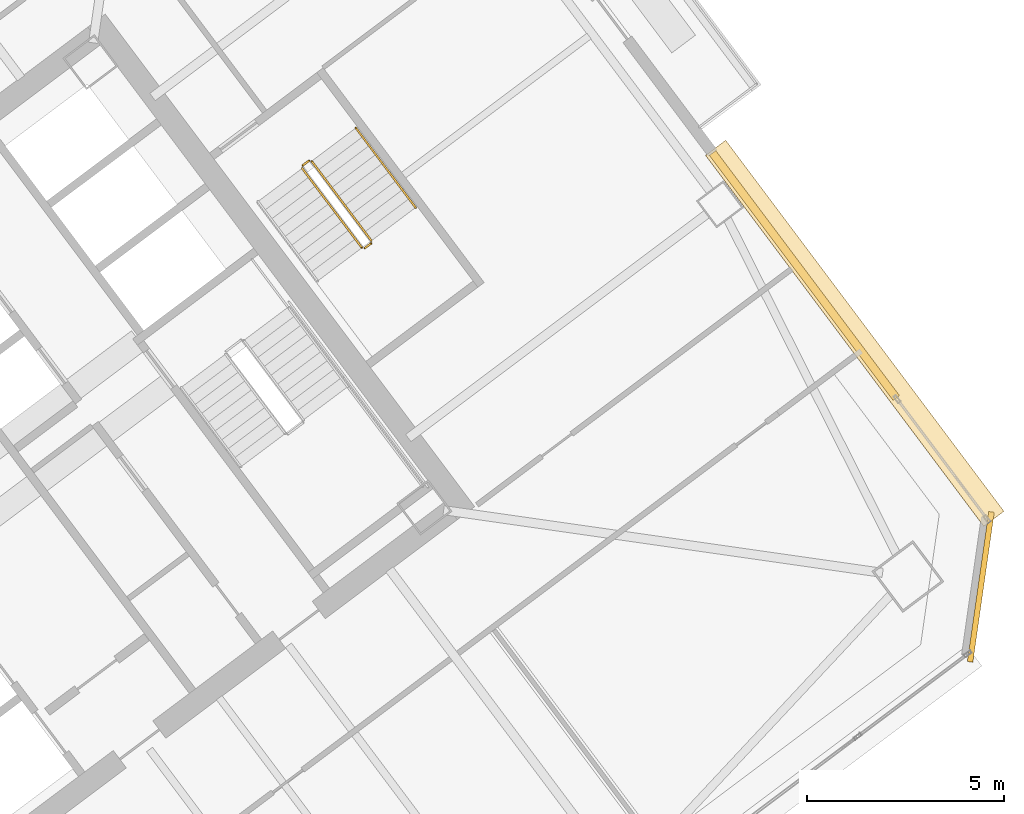
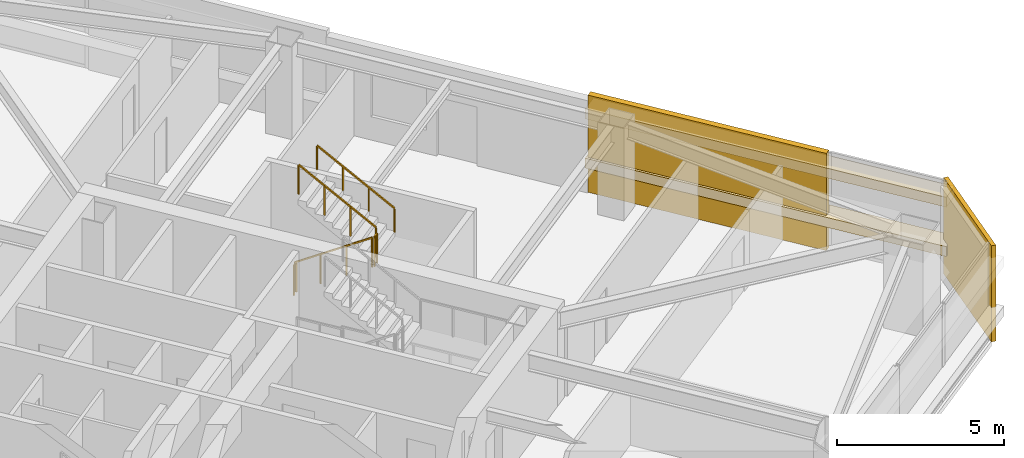
# One storey, part 45 of 46: 5 railings, 4 coverings.
"""IFC4 building model written with IfcOpenShell, lengths in metres."""

from ifc_helpers import new_model, si_unit, direction, frame, origin, origin_2d, place, context, subcontext, project, spatial, rectangle, extrude, material, layer, layer_set, type_object, element, save


model = new_model("IFC4")

# Units and contexts
model_context = context("Model", 3, precision=1e-05, world=origin(), true_north=direction((0.0, 1.0)))
body_context = subcontext(model_context, "Body", "Model", "MODEL_VIEW")
ifc_project = project(units=[si_unit("LENGTHUNIT", "METRE"), si_unit("AREAUNIT", "SQUARE_METRE"), si_unit("VOLUMEUNIT", "CUBIC_METRE"), si_unit("PLANEANGLEUNIT", "RADIAN"), si_unit("MASSUNIT", "GRAM", prefix="KILO")], contexts=[model_context])

# Site, building, storey
site_placement = place(None, origin())
site = spatial("IfcSite", under=ifc_project, at=site_placement, CompositionType="ELEMENT")
building_placement = place(site_placement, origin())
building = spatial("IfcBuilding", under=site, at=building_placement, Name="Tashvorn Skyway Center", CompositionType="ELEMENT")
storey_placement = place(building_placement, frame((0.0, 0.0, 132.14990234375)))
storey = spatial("IfcBuildingStorey", under=building, at=storey_placement, Name="L35", CompositionType="ELEMENT", Elevation=132.14990234375)

# Coverings
ifc_material_1 = material(Name="Precast concrete C40/50", Category="concrete")
ifc_layer_1 = layer(ifc_material_1, 0.199951171875)
ifc_layer_set_1 = layer_set([ifc_layer_1], Name="Precast concrete C40/50")
covering_type_1 = type_object("IfcCoveringType", Name="COV-BRACE-CLAD", PredefinedType="CLADDING", material=ifc_layer_set_1)
covering_1_placement = place(storey_placement, frame((133.5, 36.466552734375, 0.0), z_axis=(0.0, 0.0, 1.0), x_axis=(0.600000004945, -0.799999996291, 0.0)))
element("IfcCovering", 1, at=covering_1_placement, inside=storey, type_object=covering_type_1, Name="Tower 2 L35 East Curtain Wall R Mega-Brace Cladding Band 1", PredefinedType="CLADDING", context=body_context, shape_type="SweptSolid", body=[
    extrude(rectangle(XDim=7.75341796875, YDim=0.199951171875, at=origin_2d()), origin(), (0.0, 0.0, 1.0), 3.550048828125),
])
ifc_material_2 = material(Name="Perforated ceramic-coated bronze aluminium solar screen", Category="aluminium")
ifc_layer_2 = layer(ifc_material_2, 0.85009765625)
ifc_layer_set_2 = layer_set([ifc_layer_2], Name="Perforated ceramic-coated bronze aluminium solar screen")
covering_type_2 = type_object("IfcCoveringType", Name="COV-SOLAR-BAND", PredefinedType="CLADDING", material=ifc_layer_set_2)
for number, where, z_axis, x_axis, name in (
    (2, (134.77490234375, 35.0, 0.919921875), (0.0, 0.0, 1.0), (0.600000004945, -0.799999996291, 0.0), "L35 Perforated Ceramic-Metal Solar Screen Louvre Band East 1"),
    (3, (134.77490234375, 35.0, 2.72021484375), (0.0, 0.0, 1.0), (0.600000004945, -0.799999996291, 0.0), "L35 Perforated Ceramic-Metal Solar Screen Louvre Band East 2"),
):
    element("IfcCovering", number, at=place(storey_placement, frame(where, z_axis=z_axis, x_axis=x_axis)), inside=storey, type_object=covering_type_2, Name=name, PredefinedType="CLADDING", context=body_context, shape_type="SweptSolid", body=[
        extrude(rectangle(XDim=11.75, YDim=0.639892578125, at=origin_2d()), origin(), (0.0, 0.0, 1.0), 0.360107421875),
    ])
ifc_layer_3 = layer(ifc_material_1, 0.35009765625)
ifc_layer_set_3 = layer_set([ifc_layer_3], Name="Precast concrete C40/50")
covering_type_3 = type_object("IfcCoveringType", Name="COV-STONE-TRIM", PredefinedType="CLADDING", material=ifc_layer_set_3)
covering_2_placement = place(storey_placement, frame((137.968017578125, 28.575927734375, 0.02001953125), z_axis=(0.0, 0.0, 1.0), x_axis=(0.141421350118, 0.989949494535, 0.0)))
element("IfcCovering", 4, at=covering_2_placement, inside=storey, type_object=covering_type_3, Name="Tower 2 L35 SE Mojave Limestone Corner Quoin", PredefinedType="CLADDING", context=body_context, shape_type="SweptSolid", body=[
    extrude(rectangle(XDim=3.8369140625, YDim=0.139892578125, at=origin_2d()), origin(), (0.0, 0.0, 1.0), 3.510009765625),
])

# Railings
ifc_material_3 = material(Name="Brushed stainless steel 316", Category="steel")
railing_type_1 = type_object("IfcRailingType", Name="RAIL-HAND-920", PredefinedType="HANDRAIL", material=ifc_material_3)
railing_1_placement = place(storey_placement, frame((123.64794921875, 38.18603515625, 1.95263671875)))
element("IfcRailing", 5, at=railing_1_placement, inside=storey, type_object=railing_type_1, Name="L35 ST-T2-3 stair handrail 2", PredefinedType="HANDRAIL", context=body_context, shape_type="SweptSolid", body=[
    extrude(rectangle(XDim=0.048095703125, YDim=0.048095703125, at=origin_2d()), frame((0.0, 0.0, 0.8759765625), z_axis=(-0.506768818287, 0.675664481285, 0.535409071218), x_axis=(-0.79998837352, -0.60001550166, 0.0)), (0.0, 0.0, 1.0), 2.983642578125),
    extrude(rectangle(XDim=0.0419921875, YDim=0.0419921875, at=origin_2d()), origin(), (0.0, 0.0, 1.0), 0.851806640625),
    extrude(rectangle(XDim=0.0419921875, YDim=0.0419921875, at=origin_2d()), frame((-0.50390625, 0.671875, 0.532470703125)), (0.0, 0.0, 1.0), 0.851806640625),
    extrude(rectangle(XDim=0.0419921875, YDim=0.0419921875, at=origin_2d()), frame((-1.008056640625, 1.343994140625, 1.06494140625)), (0.0, 0.0, 1.0), 0.851806640625),
    extrude(rectangle(XDim=0.0419921875, YDim=0.0419921875, at=origin_2d()), frame((-1.511962890625, 2.015869140625, 1.597412109375)), (0.0, 0.0, 1.0), 0.851806640625),
])
ifc_material_4 = material(Name="Painted galvanized steel S355", Category="steel")
railing_type_2 = type_object("IfcRailingType", Name="RAIL-STGUARD-1100", PredefinedType="GUARDRAIL", material=ifc_material_4)
railing_2_placement = place(storey_placement, frame((120.77587890625, 39.181884765625, 0.177490234375)))
element("IfcRailing", 6, at=railing_2_placement, inside=storey, type_object=railing_type_2, Name="L35 ST-T2-3 stair guard 1", PredefinedType="GUARDRAIL", context=body_context, shape_type="SweptSolid", body=[
    extrude(rectangle(XDim=0.048095703125, YDim=0.048095703125, at=origin_2d()), frame((0.0, 0.0, 1.076171875), z_axis=(0.506807425148, -0.675606863004, 0.535445235739), x_axis=(0.799941867976, 0.600077501544, 0.0)), (0.0, 0.0, 1.0), 2.98388671875),
    extrude(rectangle(XDim=0.0419921875, YDim=0.0419921875, at=origin_2d()), origin(), (0.0, 0.0, 1.0), 1.052001953125),
    extrude(rectangle(XDim=0.0419921875, YDim=0.0419921875, at=origin_2d()), frame((0.504150390625, -0.671875, 0.532470703125)), (0.0, 0.0, 1.0), 1.052001953125),
    extrude(rectangle(XDim=0.0419921875, YDim=0.0419921875, at=origin_2d()), frame((1.008056640625, -1.343994140625, 1.065185546875)), (0.0, 0.0, 1.0), 1.052001953125),
    extrude(rectangle(XDim=0.0419921875, YDim=0.0419921875, at=origin_2d()), frame((1.51220703125, -2.015869140625, 1.59765625)), (0.0, 0.0, 1.0), 1.052001953125),
])
railing_3_placement = place(storey_placement, frame((122.35791015625, 37.156005859375, 1.775146484375)))
element("IfcRailing", 7, at=railing_3_placement, inside=storey, type_object=railing_type_2, Name="L35 ST-T2-3 stair guard 2", PredefinedType="GUARDRAIL", context=body_context, shape_type="SweptSolid", body=[
    extrude(rectangle(XDim=0.048095703125, YDim=0.048095703125, at=origin_2d()), frame((0.0, 0.0, 1.076171875), z_axis=(0.800585412921, 0.599218655098, 0.0), x_axis=(-0.599218655098, 0.800585412921, 0.0)), (0.0, 0.0, 1.0), 0.199951171875),
    extrude(rectangle(XDim=0.0419921875, YDim=0.0419921875, at=origin_2d()), origin(), (0.0, 0.0, 1.0), 1.052001953125),
    extrude(rectangle(XDim=0.0419921875, YDim=0.0419921875, at=origin_2d()), frame((0.16015625, 0.119873046875, 0.0)), (0.0, 0.0, 1.0), 1.052001953125),
])
railing_4_placement = place(storey_placement, frame((122.528076171875, 37.345947265625, 1.95263671875)))
element("IfcRailing", 8, at=railing_4_placement, inside=storey, type_object=railing_type_2, Name="L35 ST-T2-3 stair guard 3", PredefinedType="GUARDRAIL", context=body_context, shape_type="SweptSolid", body=[
    extrude(rectangle(XDim=0.048095703125, YDim=0.048095703125, at=origin_2d()), frame((0.0, 0.0, 1.076171875), z_axis=(-0.506740800098, 0.675708949977, 0.535379469569), x_axis=(-0.800023250257, -0.599968998406, 0.0)), (0.0, 0.0, 1.0), 2.983642578125),
    extrude(rectangle(XDim=0.0419921875, YDim=0.0419921875, at=origin_2d()), origin(), (0.0, 0.0, 1.0), 1.052001953125),
    extrude(rectangle(XDim=0.0419921875, YDim=0.0419921875, at=origin_2d()), frame((-0.50390625, 0.672119140625, 0.532470703125)), (0.0, 0.0, 1.0), 1.052001953125),
    extrude(rectangle(XDim=0.0419921875, YDim=0.0419921875, at=origin_2d()), frame((-1.008056640625, 1.343994140625, 1.06494140625)), (0.0, 0.0, 1.0), 1.052001953125),
    extrude(rectangle(XDim=0.0419921875, YDim=0.0419921875, at=origin_2d()), frame((-1.511962890625, 2.01611328125, 1.597412109375)), (0.0, 0.0, 1.0), 1.052001953125),
])
railing_5_placement = place(storey_placement, frame((120.785888671875, 39.251953125, 0.0)))
element("IfcRailing", 9, at=railing_5_placement, inside=storey, type_object=railing_type_2, Name="L35 ST-T2-3 stair guard 4", PredefinedType="GUARDRAIL", context=body_context, shape_type="SweptSolid", body=[
    extrude(rectangle(XDim=0.048095703125, YDim=0.048095703125, at=origin_2d()), frame((0.0, 0.0, 1.076171875), z_axis=(0.8, 0.6, 0.0), x_axis=(-0.6, 0.8, 0.0)), (0.0, 0.0, 1.0), 0.2001953125),
    extrude(rectangle(XDim=0.0419921875, YDim=0.0419921875, at=origin_2d()), origin(), (0.0, 0.0, 1.0), 1.052001953125),
    extrude(rectangle(XDim=0.0419921875, YDim=0.0419921875, at=origin_2d()), frame((0.16015625, 0.1201171875, 0.0)), (0.0, 0.0, 1.0), 1.052001953125),
])

save(model, "model.ifc")
